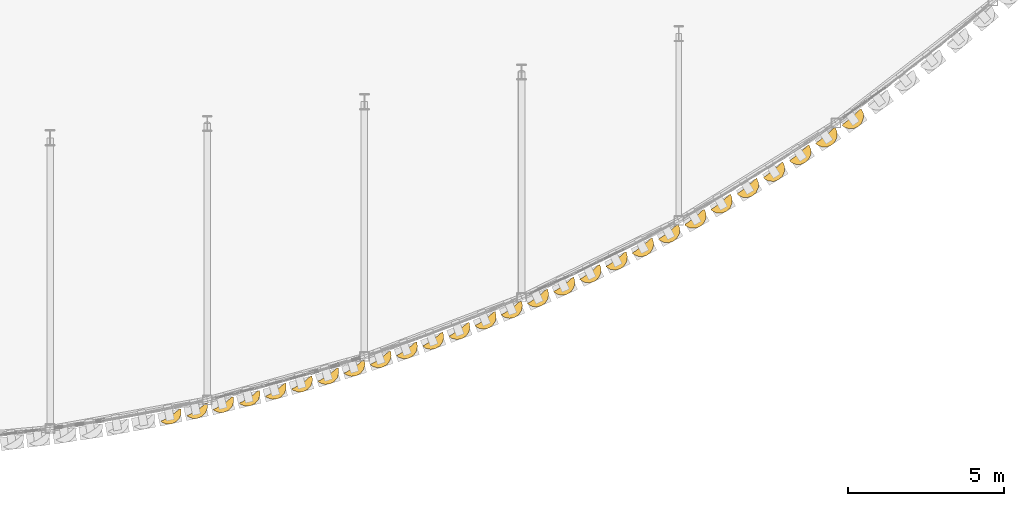
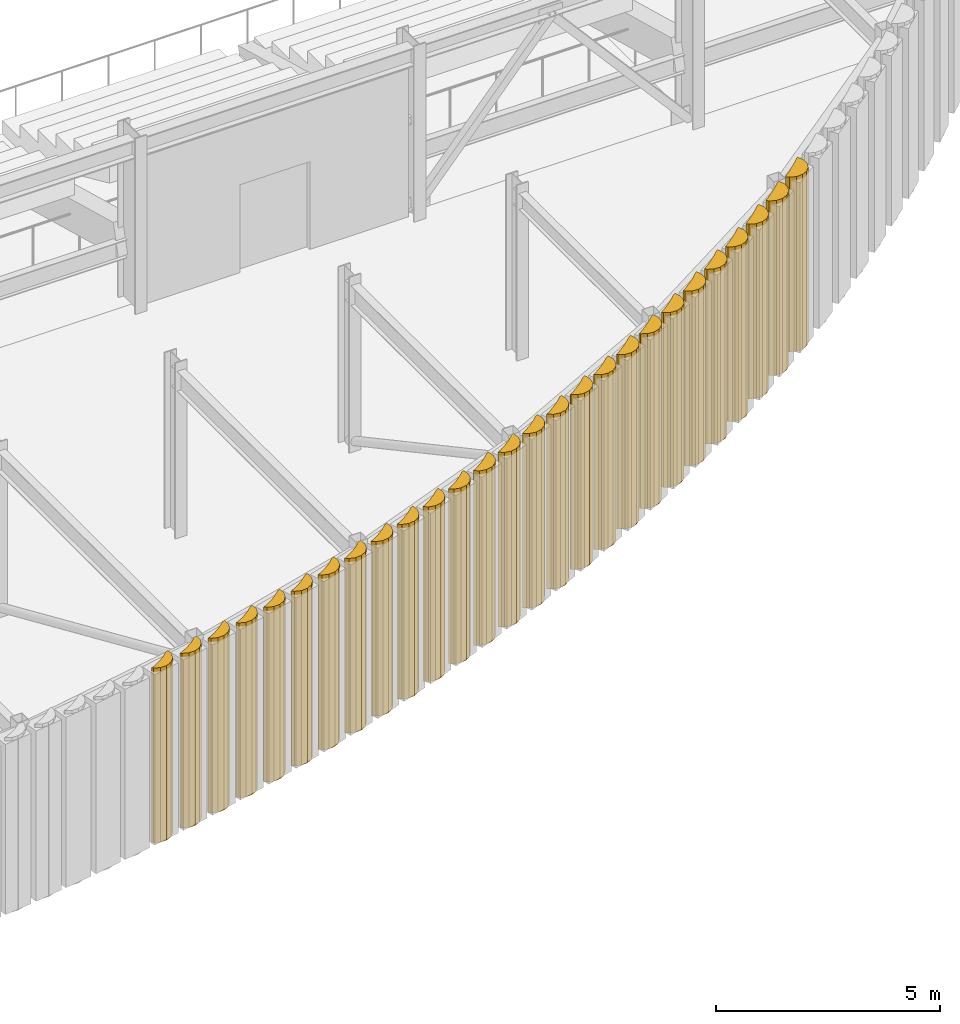
# One storey, part 111 of 121: 27 coverings.
"""IFC4 building model written with IfcOpenShell, lengths in metres."""

from ifc_helpers import new_model, si_unit, direction, frame, origin, place, context, subcontext, project, spatial, polyline, outline, extrude, material, layer, layer_set, type_object, element, save


model = new_model("IFC4")

# Units and contexts
model_context = context("Model", 3, precision=1e-05, world=origin(), true_north=direction((0.0, 1.0)))
body_context = subcontext(model_context, "Body", "Model", "MODEL_VIEW")
ifc_project = project(units=[si_unit("LENGTHUNIT", "METRE"), si_unit("AREAUNIT", "SQUARE_METRE"), si_unit("VOLUMEUNIT", "CUBIC_METRE"), si_unit("PLANEANGLEUNIT", "RADIAN"), si_unit("MASSUNIT", "GRAM", prefix="KILO")], contexts=[model_context])

# Site, building, storey
site_placement = place(None, origin())
site = spatial("IfcSite", under=ifc_project, at=site_placement, CompositionType="ELEMENT")
building_placement = place(site_placement, origin())
building = spatial("IfcBuilding", under=site, at=building_placement, Name="Solvadek Multi-Sports Hall", CompositionType="ELEMENT")
storey_placement = place(building_placement, frame((0.0, 0.0, 4.800048828125)))
storey = spatial("IfcBuildingStorey", under=building, at=storey_placement, Name="L01", CompositionType="ELEMENT", Elevation=4.800048828125)

# Coverings
ifc_material = material(Name="Perforated champagne-bronze anodised aluminium", Category="aluminium")
ifc_layer = layer(ifc_material, 0.06494140625, Name="Perforated champagne-bronze anodised aluminium")
ifc_layer_set = layer_set([ifc_layer], Name="Perforated champagne-bronze anodised aluminium")
covering_type = type_object("IfcCoveringType", Name="ENV-COV-FLUTED", PredefinedType="CLADDING", material=ifc_layer_set)
covering_1_placement = place(storey_placement, frame((0.0, 0.0, 0.010009765625)))
element("IfcCovering", 1, at=covering_1_placement, inside=storey, type_object=covering_type, Name="L01 Perforated Bronze Half-Cylinder Fluted Shell #153", PredefinedType="CLADDING", context=body_context, shape_type="SweptSolid", body=[
    extrude(outline(polyline([(105.7216796875, -12.019287109375), (105.72412109375, -12.179443359375), (105.664794921875, -12.327880859375), (105.55322265625, -12.442626953125), (105.40625, -12.505859375), (105.24609375, -12.5078125), (105.09765625, -12.44873046875), (104.98291015625, -12.337158203125), (104.919921875, -12.190185546875), (104.9833984375, -12.176513671875), (104.8798828125, -12.30029296875), (104.843505859375, -12.394287109375), (104.8798828125, -12.444091796875), (104.9833984375, -12.442138671875), (105.13818359375, -12.388916015625), (105.32080078125, -12.29248046875), (105.50341796875, -12.16748046875), (105.658203125, -12.032958984375), (105.7216796875, -12.019287109375)])), origin(), (0.0, 0.0, 1.0), 4.77001953125),
])
covering_2_placement = place(storey_placement, frame((0.0, 0.0, 0.010009765625)))
element("IfcCovering", 2, at=covering_2_placement, inside=storey, type_object=covering_type, Name="L01 Perforated Bronze Half-Cylinder Fluted Shell #154", PredefinedType="CLADDING", context=body_context, shape_type="SweptSolid", body=[
    extrude(outline(polyline([(106.561767578125, -11.840576171875), (106.56396484375, -12.00048828125), (106.5048828125, -12.149169921875), (106.393310546875, -12.263671875), (106.24609375, -12.326904296875), (106.086181640625, -12.3291015625), (105.9375, -12.27001953125), (105.822998046875, -12.158203125), (105.759765625, -12.01123046875), (105.823486328125, -11.997802734375), (105.719970703125, -12.121337890625), (105.68359375, -12.21533203125), (105.719970703125, -12.26513671875), (105.823486328125, -12.263427734375), (105.978271484375, -12.210205078125), (106.160888671875, -12.11376953125), (106.343505859375, -11.98876953125), (106.498291015625, -11.85400390625), (106.561767578125, -11.840576171875)])), origin(), (0.0, 0.0, 1.0), 4.77001953125),
])
covering_3_placement = place(storey_placement, frame((0.0, 0.0, 0.010009765625)))
element("IfcCovering", 3, at=covering_3_placement, inside=storey, type_object=covering_type, Name="L01 Perforated Bronze Half-Cylinder Fluted Shell #157", PredefinedType="CLADDING", context=body_context, shape_type="SweptSolid", body=[
    extrude(outline(polyline([(107.402099609375, -11.635986328125), (107.408935546875, -11.7958984375), (107.35400390625, -11.9462890625), (107.24609375, -12.064208984375), (107.100830078125, -12.131591796875), (106.941162109375, -12.138427734375), (106.790771484375, -12.083740234375), (106.6728515625, -11.9755859375), (106.60546875, -11.83056640625), (106.668701171875, -11.815185546875), (106.56591796875, -11.937255859375), (106.52978515625, -12.0283203125), (106.56591796875, -12.07421875), (106.668701171875, -12.068603515625), (106.822265625, -12.01171875), (107.003662109375, -11.91259765625), (107.18505859375, -11.785888671875), (107.3388671875, -11.651611328125), (107.402099609375, -11.635986328125)])), origin(), (0.0, 0.0, 1.0), 4.77001953125),
])
covering_4_placement = place(storey_placement, frame((0.0, 0.0, 0.010009765625)))
element("IfcCovering", 4, at=covering_4_placement, inside=storey, type_object=covering_type, Name="L01 Perforated Bronze Half-Cylinder Fluted Shell #158", PredefinedType="CLADDING", context=body_context, shape_type="SweptSolid", body=[
    extrude(outline(polyline([(108.241943359375, -11.430908203125), (108.248779296875, -11.5908203125), (108.194091796875, -11.7412109375), (108.0859375, -11.85888671875), (107.94091796875, -11.926513671875), (107.781005859375, -11.93359375), (107.630859375, -11.878662109375), (107.512939453125, -11.7705078125), (107.4453125, -11.62548828125), (107.508544921875, -11.610107421875), (107.40576171875, -11.732177734375), (107.36962890625, -11.822998046875), (107.40576171875, -11.869140625), (107.508544921875, -11.86328125), (107.662353515625, -11.806640625), (107.84375, -11.70751953125), (108.025146484375, -11.580810546875), (108.178955078125, -11.446533203125), (108.241943359375, -11.430908203125)])), origin(), (0.0, 0.0, 1.0), 4.77001953125),
])
covering_5_placement = place(storey_placement, frame((0.0, 0.0, 0.010009765625)))
element("IfcCovering", 5, at=covering_5_placement, inside=storey, type_object=covering_type, Name="L01 Perforated Bronze Half-Cylinder Fluted Shell #161", PredefinedType="CLADDING", context=body_context, shape_type="SweptSolid", body=[
    extrude(outline(polyline([(109.081787109375, -11.199951171875), (109.093505859375, -11.359619140625), (109.043212890625, -11.511474609375), (108.938720703125, -11.632568359375), (108.795654296875, -11.704345703125), (108.635986328125, -11.716064453125), (108.484375, -11.665771484375), (108.36328125, -11.56103515625), (108.29150390625, -11.418212890625), (108.35400390625, -11.40087890625), (108.252197265625, -11.521240234375), (108.21630859375, -11.609130859375), (108.252197265625, -11.651611328125), (108.35400390625, -11.6416015625), (108.506591796875, -11.581298828125), (108.6865234375, -11.4794921875), (108.86669921875, -11.3515625), (109.019287109375, -11.21728515625), (109.081787109375, -11.199951171875)])), origin(), (0.0, 0.0, 1.0), 4.77001953125),
])
covering_6_placement = place(storey_placement, frame((0.0, 0.0, 0.010009765625)))
element("IfcCovering", 6, at=covering_6_placement, inside=storey, type_object=covering_type, Name="L01 Perforated Bronze Half-Cylinder Fluted Shell #162", PredefinedType="CLADDING", context=body_context, shape_type="SweptSolid", body=[
    extrude(outline(polyline([(109.921875, -10.96826171875), (109.93359375, -11.127685546875), (109.88330078125, -11.279541015625), (109.778564453125, -11.400634765625), (109.6357421875, -11.472412109375), (109.47607421875, -11.484130859375), (109.32421875, -11.433837890625), (109.203125, -11.329345703125), (109.13134765625, -11.186279296875), (109.194091796875, -11.169189453125), (109.092041015625, -11.289306640625), (109.056396484375, -11.37744140625), (109.092041015625, -11.419677734375), (109.194091796875, -11.409912109375), (109.3466796875, -11.349365234375), (109.526611328125, -11.24755859375), (109.70654296875, -11.119873046875), (109.859130859375, -10.985595703125), (109.921875, -10.96826171875)])), origin(), (0.0, 0.0, 1.0), 4.77001953125),
])
covering_7_placement = place(storey_placement, frame((0.0, 0.0, 0.010009765625)))
element("IfcCovering", 7, at=covering_7_placement, inside=storey, type_object=covering_type, Name="L01 Perforated Bronze Half-Cylinder Fluted Shell #165", PredefinedType="CLADDING", context=body_context, shape_type="SweptSolid", body=[
    extrude(outline(polyline([(110.76123046875, -10.7099609375), (110.777587890625, -10.869140625), (110.73193359375, -11.0224609375), (110.631103515625, -11.146484375), (110.490478515625, -11.22265625), (110.331298828125, -11.239013671875), (110.177978515625, -11.193359375), (110.0537109375, -11.092529296875), (109.977783203125, -10.951904296875), (110.039794921875, -10.9326171875), (109.938720703125, -11.051025390625), (109.9033203125, -11.135986328125), (109.938720703125, -11.17431640625), (110.039794921875, -11.16064453125), (110.191162109375, -11.0966796875), (110.369384765625, -10.9921875), (110.5478515625, -10.863037109375), (110.69921875, -10.729248046875), (110.76123046875, -10.7099609375)])), origin(), (0.0, 0.0, 1.0), 4.77001953125),
])
covering_8_placement = place(storey_placement, frame((0.0, 0.0, 0.010009765625)))
element("IfcCovering", 8, at=covering_8_placement, inside=storey, type_object=covering_type, Name="L01 Perforated Bronze Half-Cylinder Fluted Shell #166", PredefinedType="CLADDING", context=body_context, shape_type="SweptSolid", body=[
    extrude(outline(polyline([(111.601318359375, -10.45068359375), (111.61767578125, -10.60986328125), (111.572021484375, -10.76318359375), (111.47119140625, -10.887451171875), (111.330322265625, -10.96337890625), (111.17138671875, -10.97998046875), (111.01806640625, -10.93408203125), (110.893798828125, -10.833251953125), (110.817626953125, -10.692626953125), (110.8798828125, -10.67333984375), (110.77880859375, -10.791748046875), (110.743408203125, -10.876708984375), (110.77880859375, -10.915283203125), (110.8798828125, -10.9013671875), (111.031005859375, -10.83740234375), (111.20947265625, -10.73291015625), (111.387939453125, -10.603759765625), (111.5390625, -10.469970703125), (111.601318359375, -10.45068359375)])), origin(), (0.0, 0.0, 1.0), 4.77001953125),
])
covering_9_placement = place(storey_placement, frame((0.0, 0.0, 0.010009765625)))
element("IfcCovering", 9, at=covering_9_placement, inside=storey, type_object=covering_type, Name="L01 Perforated Bronze Half-Cylinder Fluted Shell #169", PredefinedType="CLADDING", context=body_context, shape_type="SweptSolid", body=[
    extrude(outline(polyline([(112.440185546875, -10.164794921875), (112.461669921875, -10.3232421875), (112.42041015625, -10.477783203125), (112.323486328125, -10.60498046875), (112.18505859375, -10.685302734375), (112.026611328125, -10.70654296875), (111.871826171875, -10.66552734375), (111.744873046875, -10.568603515625), (111.664306640625, -10.43017578125), (111.725830078125, -10.4091796875), (111.6259765625, -10.525390625), (111.5908203125, -10.607177734375), (111.6259765625, -10.6416015625), (111.725830078125, -10.623779296875), (111.875732421875, -10.556396484375), (112.052490234375, -10.44921875), (112.22900390625, -10.319091796875), (112.37890625, -10.185791015625), (112.440185546875, -10.164794921875)])), origin(), (0.0, 0.0, 1.0), 4.77001953125),
])
covering_10_placement = place(storey_placement, frame((0.0, 0.0, 0.010009765625)))
element("IfcCovering", 10, at=covering_10_placement, inside=storey, type_object=covering_type, Name="L01 Perforated Bronze Half-Cylinder Fluted Shell #170", PredefinedType="CLADDING", context=body_context, shape_type="SweptSolid", body=[
    extrude(outline(polyline([(113.2802734375, -9.877197265625), (113.301513671875, -10.035888671875), (113.260498046875, -10.1904296875), (113.163330078125, -10.317626953125), (113.025146484375, -10.39794921875), (112.866455078125, -10.419189453125), (112.7119140625, -10.378173828125), (112.584716796875, -10.281005859375), (112.50439453125, -10.142578125), (112.56591796875, -10.12158203125), (112.4658203125, -10.238037109375), (112.4306640625, -10.31982421875), (112.4658203125, -10.354248046875), (112.56591796875, -10.33642578125), (112.7158203125, -10.268798828125), (112.892333984375, -10.161865234375), (113.069091796875, -10.03173828125), (113.21875, -9.898193359375), (113.2802734375, -9.877197265625)])), origin(), (0.0, 0.0, 1.0), 4.77001953125),
])
covering_11_placement = place(storey_placement, frame((0.0, 0.0, 0.010009765625)))
element("IfcCovering", 11, at=covering_11_placement, inside=storey, type_object=covering_type, Name="L01 Perforated Bronze Half-Cylinder Fluted Shell #173", PredefinedType="CLADDING", context=body_context, shape_type="SweptSolid", body=[
    extrude(outline(polyline([(114.118896484375, -9.5625), (114.14501953125, -9.72021484375), (114.10888671875, -9.876220703125), (114.015625, -10.006103515625), (113.8798828125, -10.0908203125), (113.721923828125, -10.11669921875), (113.566162109375, -10.08056640625), (113.43603515625, -9.9873046875), (113.3515625, -9.8515625), (113.412353515625, -9.82861328125), (113.3134765625, -9.94287109375), (113.27880859375, -10.021240234375), (113.3134765625, -10.0517578125), (113.412353515625, -10.02978515625), (113.560546875, -9.958740234375), (113.7353515625, -9.849365234375), (113.909912109375, -9.718017578125), (114.05810546875, -9.585205078125), (114.118896484375, -9.5625)])), origin(), (0.0, 0.0, 1.0), 4.77001953125),
])
covering_12_placement = place(storey_placement, frame((0.0, 0.0, 0.010009765625)))
element("IfcCovering", 12, at=covering_12_placement, inside=storey, type_object=covering_type, Name="L01 Perforated Bronze Half-Cylinder Fluted Shell #174", PredefinedType="CLADDING", context=body_context, shape_type="SweptSolid", body=[
    extrude(outline(polyline([(114.958984375, -9.245849609375), (114.985107421875, -9.40380859375), (114.94873046875, -9.5595703125), (114.855712890625, -9.689697265625), (114.7197265625, -9.774169921875), (114.56201171875, -9.80029296875), (114.40625, -9.763916015625), (114.276123046875, -9.6708984375), (114.191650390625, -9.534912109375), (114.25244140625, -9.51220703125), (114.153564453125, -9.62646484375), (114.11865234375, -9.704833984375), (114.153564453125, -9.7353515625), (114.25244140625, -9.71337890625), (114.400390625, -9.64208984375), (114.5751953125, -9.53271484375), (114.75, -9.401611328125), (114.898193359375, -9.268798828125), (114.958984375, -9.245849609375)])), origin(), (0.0, 0.0, 1.0), 4.77001953125),
])
covering_13_placement = place(storey_placement, frame((0.0, 0.0, 0.010009765625)))
element("IfcCovering", 13, at=covering_13_placement, inside=storey, type_object=covering_type, Name="L01 Perforated Bronze Half-Cylinder Fluted Shell #177", PredefinedType="CLADDING", context=body_context, shape_type="SweptSolid", body=[
    extrude(outline(polyline([(115.797119140625, -8.9013671875), (115.828125, -9.058349609375), (115.796630859375, -9.215087890625), (115.707763671875, -9.347900390625), (115.57470703125, -9.436767578125), (115.41748046875, -9.4677734375), (115.2607421875, -9.436279296875), (115.1279296875, -9.34716796875), (115.039306640625, -9.214111328125), (115.09912109375, -9.189208984375), (115.00146484375, -9.30126953125), (114.967041015625, -9.376220703125), (115.00146484375, -9.402587890625), (115.09912109375, -9.376708984375), (115.24560546875, -9.302001953125), (115.418212890625, -9.190185546875), (115.5908203125, -9.05810546875), (115.737060546875, -8.926025390625), (115.797119140625, -8.9013671875)])), origin(), (0.0, 0.0, 1.0), 4.77001953125),
])
covering_14_placement = place(storey_placement, frame((0.0, 0.0, 0.010009765625)))
element("IfcCovering", 14, at=covering_14_placement, inside=storey, type_object=covering_type, Name="L01 Perforated Bronze Half-Cylinder Fluted Shell #178", PredefinedType="CLADDING", context=body_context, shape_type="SweptSolid", body=[
    extrude(outline(polyline([(116.63720703125, -8.5546875), (116.668212890625, -8.711669921875), (116.63671875, -8.868408203125), (116.547607421875, -9.00146484375), (116.41455078125, -9.090087890625), (116.257568359375, -9.12109375), (116.100830078125, -9.089599609375), (115.968017578125, -9.00048828125), (115.879150390625, -8.867431640625), (115.939208984375, -8.8427734375), (115.841552734375, -8.95458984375), (115.80712890625, -9.029541015625), (115.841552734375, -9.05615234375), (115.939208984375, -9.030029296875), (116.085693359375, -8.955322265625), (116.258056640625, -8.843505859375), (116.4306640625, -8.71142578125), (116.5771484375, -8.57958984375), (116.63720703125, -8.5546875)])), origin(), (0.0, 0.0, 1.0), 4.77001953125),
])
covering_15_placement = place(storey_placement, frame((0.0, 0.0, 0.010009765625)))
element("IfcCovering", 15, at=covering_15_placement, inside=storey, type_object=covering_type, Name="L01 Perforated Bronze Half-Cylinder Fluted Shell #181", PredefinedType="CLADDING", context=body_context, shape_type="SweptSolid", body=[
    extrude(outline(polyline([(117.474853515625, -8.17919921875), (117.510986328125, -8.335205078125), (117.484375, -8.492919921875), (117.399658203125, -8.62841796875), (117.269287109375, -8.721435546875), (117.11328125, -8.75732421875), (116.95556640625, -8.730712890625), (116.820068359375, -8.64599609375), (116.72705078125, -8.515625), (116.786376953125, -8.489013671875), (116.68994140625, -8.5986328125), (116.656005859375, -8.670166015625), (116.68994140625, -8.6923828125), (116.786376953125, -8.662109375), (116.930908203125, -8.583984375), (117.10107421875, -8.4697265625), (117.271240234375, -8.337158203125), (117.41552734375, -8.205810546875), (117.474853515625, -8.17919921875)])), origin(), (0.0, 0.0, 1.0), 4.77001953125),
])
covering_16_placement = place(storey_placement, frame((0.0, 0.0, 0.010009765625)))
element("IfcCovering", 16, at=covering_16_placement, inside=storey, type_object=covering_type, Name="L01 Perforated Bronze Half-Cylinder Fluted Shell #182", PredefinedType="CLADDING", context=body_context, shape_type="SweptSolid", body=[
    extrude(outline(polyline([(118.31494140625, -7.80126953125), (118.350830078125, -7.95703125), (118.324462890625, -8.114990234375), (118.239501953125, -8.25048828125), (118.109375, -8.343505859375), (117.953369140625, -8.37939453125), (117.795654296875, -8.352783203125), (117.659912109375, -8.26806640625), (117.567138671875, -8.1376953125), (117.62646484375, -8.111083984375), (117.530029296875, -8.220703125), (117.49609375, -8.2919921875), (117.530029296875, -8.314208984375), (117.62646484375, -8.2841796875), (117.770751953125, -8.2060546875), (117.94091796875, -8.091796875), (118.111328125, -7.958984375), (118.255615234375, -7.827880859375), (118.31494140625, -7.80126953125)])), origin(), (0.0, 0.0, 1.0), 4.77001953125),
])
covering_17_placement = place(storey_placement, frame((0.0, 0.0, 0.010009765625)))
element("IfcCovering", 17, at=covering_17_placement, inside=storey, type_object=covering_type, Name="L01 Perforated Bronze Half-Cylinder Fluted Shell #185", PredefinedType="CLADDING", context=body_context, shape_type="SweptSolid", body=[
    extrude(outline(polyline([(119.15234375, -7.393798828125), (119.193115234375, -7.54833984375), (119.171630859375, -7.706787109375), (119.09130859375, -7.84521484375), (118.964111328125, -7.942138671875), (118.809326171875, -7.98291015625), (118.65087890625, -7.961669921875), (118.512451171875, -7.881103515625), (118.41552734375, -7.75390625), (118.47412109375, -7.725341796875), (118.37890625, -7.83251953125), (118.345703125, -7.900146484375), (118.37890625, -7.918212890625), (118.47412109375, -7.8837890625), (118.6162109375, -7.802001953125), (118.783935546875, -7.685791015625), (118.95166015625, -7.552490234375), (119.093994140625, -7.422119140625), (119.15234375, -7.393798828125)])), origin(), (0.0, 0.0, 1.0), 4.77001953125),
])
covering_18_placement = place(storey_placement, frame((0.0, 0.0, 0.010009765625)))
element("IfcCovering", 18, at=covering_18_placement, inside=storey, type_object=covering_type, Name="L01 Perforated Bronze Half-Cylinder Fluted Shell #186", PredefinedType="CLADDING", context=body_context, shape_type="SweptSolid", body=[
    extrude(outline(polyline([(119.9921875, -6.98291015625), (120.033203125, -7.1376953125), (120.01171875, -7.296142578125), (119.931396484375, -7.4345703125), (119.803955078125, -7.531494140625), (119.6494140625, -7.572265625), (119.49072265625, -7.55078125), (119.3525390625, -7.470458984375), (119.255615234375, -7.34326171875), (119.31396484375, -7.314697265625), (119.218994140625, -7.421630859375), (119.185546875, -7.489501953125), (119.218994140625, -7.50732421875), (119.31396484375, -7.472900390625), (119.456298828125, -7.391357421875), (119.623779296875, -7.275146484375), (119.791748046875, -7.1416015625), (119.933837890625, -7.011474609375), (119.9921875, -6.98291015625)])), origin(), (0.0, 0.0, 1.0), 4.77001953125),
])
covering_19_placement = place(storey_placement, frame((0.0, 0.0, 0.010009765625)))
element("IfcCovering", 19, at=covering_19_placement, inside=storey, type_object=covering_type, Name="L01 Perforated Bronze Half-Cylinder Fluted Shell #189", PredefinedType="CLADDING", context=body_context, shape_type="SweptSolid", body=[
    extrude(outline(polyline([(120.8291015625, -6.5419921875), (120.875, -6.695068359375), (120.858642578125, -6.854248046875), (120.78271484375, -6.9951171875), (120.65869140625, -7.09619140625), (120.505615234375, -7.14208984375), (120.34619140625, -7.125732421875), (120.20556640625, -7.0498046875), (120.1044921875, -6.92578125), (120.161865234375, -6.895263671875), (120.068603515625, -6.999755859375), (120.03564453125, -7.063720703125), (120.068603515625, -7.077392578125), (120.161865234375, -7.038818359375), (120.3017578125, -6.95361328125), (120.466796875, -6.835205078125), (120.6318359375, -6.701416015625), (120.771728515625, -6.572265625), (120.8291015625, -6.5419921875)])), origin(), (0.0, 0.0, 1.0), 4.77001953125),
])
covering_20_placement = place(storey_placement, frame((0.0, 0.0, 0.010009765625)))
element("IfcCovering", 20, at=covering_20_placement, inside=storey, type_object=covering_type, Name="L01 Perforated Bronze Half-Cylinder Fluted Shell #190", PredefinedType="CLADDING", context=body_context, shape_type="SweptSolid", body=[
    extrude(outline(polyline([(121.669189453125, -6.096923828125), (121.715087890625, -6.250244140625), (121.69873046875, -6.4091796875), (121.622802734375, -6.550048828125), (121.498779296875, -6.651123046875), (121.345458984375, -6.697021484375), (121.186279296875, -6.6806640625), (121.04541015625, -6.604736328125), (120.944580078125, -6.480712890625), (121.001953125, -6.4501953125), (120.908447265625, -6.5546875), (120.875732421875, -6.61865234375), (120.908447265625, -6.63232421875), (121.001953125, -6.59375), (121.141845703125, -6.5087890625), (121.306884765625, -6.39013671875), (121.4716796875, -6.25634765625), (121.61181640625, -6.12744140625), (121.669189453125, -6.096923828125)])), origin(), (0.0, 0.0, 1.0), 4.77001953125),
])
covering_21_placement = place(storey_placement, frame((0.0, 0.0, 0.010009765625)))
element("IfcCovering", 21, at=covering_21_placement, inside=storey, type_object=covering_type, Name="L01 Perforated Bronze Half-Cylinder Fluted Shell #193", PredefinedType="CLADDING", context=body_context, shape_type="SweptSolid", body=[
    extrude(outline(polyline([(122.505615234375, -5.62060546875), (122.556396484375, -5.772216796875), (122.54541015625, -5.931640625), (122.47412109375, -6.074951171875), (122.353515625, -6.179931640625), (122.201904296875, -6.23095703125), (122.042236328125, -6.219970703125), (121.89892578125, -6.148681640625), (121.7939453125, -6.028076171875), (121.850341796875, -5.99560546875), (121.758544921875, -6.09716796875), (121.726318359375, -6.1572265625), (121.758544921875, -6.16650390625), (121.850341796875, -6.12353515625), (121.98779296875, -6.03515625), (122.149658203125, -5.914794921875), (122.311767578125, -5.780517578125), (122.44921875, -5.65283203125), (122.505615234375, -5.62060546875)])), origin(), (0.0, 0.0, 1.0), 4.77001953125),
])
covering_22_placement = place(storey_placement, frame((0.0, 0.0, 0.010009765625)))
element("IfcCovering", 22, at=covering_22_placement, inside=storey, type_object=covering_type, Name="L01 Perforated Bronze Half-Cylinder Fluted Shell #194", PredefinedType="CLADDING", context=body_context, shape_type="SweptSolid", body=[
    extrude(outline(polyline([(123.345458984375, -5.139404296875), (123.396484375, -5.291015625), (123.385498046875, -5.45068359375), (123.314208984375, -5.59375), (123.193603515625, -5.698974609375), (123.041748046875, -5.749755859375), (122.882080078125, -5.73876953125), (122.739013671875, -5.66748046875), (122.6337890625, -5.546875), (122.690185546875, -5.5146484375), (122.598388671875, -5.6162109375), (122.56640625, -5.676025390625), (122.598388671875, -5.685302734375), (122.690185546875, -5.642578125), (122.82763671875, -5.55419921875), (122.98974609375, -5.43359375), (123.151611328125, -5.29931640625), (123.2890625, -5.171630859375), (123.345458984375, -5.139404296875)])), origin(), (0.0, 0.0, 1.0), 4.77001953125),
])
covering_23_placement = place(storey_placement, frame((0.0, 0.0, 0.010009765625)))
element("IfcCovering", 23, at=covering_23_placement, inside=storey, type_object=covering_type, Name="L01 Perforated Bronze Half-Cylinder Fluted Shell #197", PredefinedType="CLADDING", context=body_context, shape_type="SweptSolid", body=[
    extrude(outline(polyline([(124.181396484375, -4.62548828125), (124.2373046875, -4.775390625), (124.231689453125, -4.935302734375), (124.165283203125, -5.080810546875), (124.048095703125, -5.18994140625), (123.898193359375, -5.245849609375), (123.73828125, -5.240234375), (123.593017578125, -5.173828125), (123.48388671875, -5.056884765625), (123.5390625, -5.022705078125), (123.44921875, -5.12109375), (123.41748046875, -5.177001953125), (123.44921875, -5.181640625), (123.5390625, -5.134765625), (123.673828125, -5.04296875), (123.83251953125, -4.92041015625), (123.991455078125, -4.785888671875), (124.1259765625, -4.659912109375), (124.181396484375, -4.62548828125)])), origin(), (0.0, 0.0, 1.0), 4.77001953125),
])
covering_24_placement = place(storey_placement, frame((0.0, 0.0, 0.010009765625)))
element("IfcCovering", 24, at=covering_24_placement, inside=storey, type_object=covering_type, Name="L01 Perforated Bronze Half-Cylinder Fluted Shell #198", PredefinedType="CLADDING", context=body_context, shape_type="SweptSolid", body=[
    extrude(outline(polyline([(125.021240234375, -4.106201171875), (125.077392578125, -4.256103515625), (125.071533203125, -4.416015625), (125.005126953125, -4.5615234375), (124.88818359375, -4.670654296875), (124.73828125, -4.7265625), (124.578369140625, -4.720947265625), (124.432861328125, -4.654541015625), (124.32373046875, -4.53759765625), (124.379150390625, -4.50341796875), (124.289306640625, -4.601806640625), (124.257568359375, -4.65771484375), (124.289306640625, -4.662353515625), (124.379150390625, -4.615478515625), (124.513916015625, -4.523681640625), (124.672607421875, -4.401123046875), (124.831298828125, -4.2666015625), (124.966064453125, -4.140380859375), (125.021240234375, -4.106201171875)])), origin(), (0.0, 0.0, 1.0), 4.77001953125),
])
covering_25_placement = place(storey_placement, frame((0.0, 0.0, 0.010009765625)))
element("IfcCovering", 25, at=covering_25_placement, inside=storey, type_object=covering_type, Name="L01 Perforated Bronze Half-Cylinder Fluted Shell #201", PredefinedType="CLADDING", context=body_context, shape_type="SweptSolid", body=[
    extrude(outline(polyline([(125.856689453125, -3.552978515625), (125.917724609375, -3.70068359375), (125.91748046875, -3.86083984375), (125.856201171875, -4.008544921875), (125.742919921875, -4.12158203125), (125.59521484375, -4.1826171875), (125.43505859375, -4.182373046875), (125.287353515625, -4.12109375), (125.17431640625, -4.0078125), (125.228515625, -3.9716796875), (125.140380859375, -4.06689453125), (125.109619140625, -4.11865234375), (125.140380859375, -4.118896484375), (125.228515625, -4.0673828125), (125.360107421875, -3.972412109375), (125.515380859375, -3.847900390625), (125.6708984375, -3.71337890625), (125.802490234375, -3.589111328125), (125.856689453125, -3.552978515625)])), origin(), (0.0, 0.0, 1.0), 4.77001953125),
])
covering_26_placement = place(storey_placement, frame((0.0, 0.0, 0.010009765625)))
element("IfcCovering", 26, at=covering_26_placement, inside=storey, type_object=covering_type, Name="L01 Perforated Bronze Half-Cylinder Fluted Shell #202", PredefinedType="CLADDING", context=body_context, shape_type="SweptSolid", body=[
    extrude(outline(polyline([(126.696533203125, -2.992919921875), (126.7578125, -3.140625), (126.757568359375, -3.30078125), (126.696044921875, -3.448486328125), (126.5830078125, -3.5615234375), (126.43505859375, -3.62255859375), (126.275146484375, -3.622314453125), (126.127197265625, -3.56103515625), (126.014404296875, -3.44775390625), (126.068359375, -3.41162109375), (125.98046875, -3.507080078125), (125.949462890625, -3.55859375), (125.98046875, -3.558837890625), (126.068359375, -3.50732421875), (126.2001953125, -3.412353515625), (126.35546875, -3.2880859375), (126.5107421875, -3.1533203125), (126.642578125, -3.02880859375), (126.696533203125, -2.992919921875)])), origin(), (0.0, 0.0, 1.0), 4.77001953125),
])
covering_27_placement = place(storey_placement, frame((0.0, 0.0, 0.010009765625)))
element("IfcCovering", 27, at=covering_27_placement, inside=storey, type_object=covering_type, Name="L01 Perforated Bronze Half-Cylinder Fluted Shell #205", PredefinedType="CLADDING", context=body_context, shape_type="SweptSolid", body=[
    extrude(outline(polyline([(127.53125, -2.397216796875), (127.597412109375, -2.542724609375), (127.60302734375, -2.70263671875), (127.546875, -2.8525390625), (127.4375, -2.969482421875), (127.2919921875, -3.03564453125), (127.132080078125, -3.041015625), (126.982421875, -2.98486328125), (126.865478515625, -2.875732421875), (126.918212890625, -2.837890625), (126.832275390625, -2.9296875), (126.802001953125, -2.976806640625), (126.832275390625, -2.972412109375), (126.918212890625, -2.91650390625), (127.046630859375, -2.818359375), (127.198486328125, -2.692138671875), (127.35009765625, -2.5576171875), (127.478515625, -2.43505859375), (127.53125, -2.397216796875)])), origin(), (0.0, 0.0, 1.0), 4.77001953125),
])

save(model, "model.ifc")
